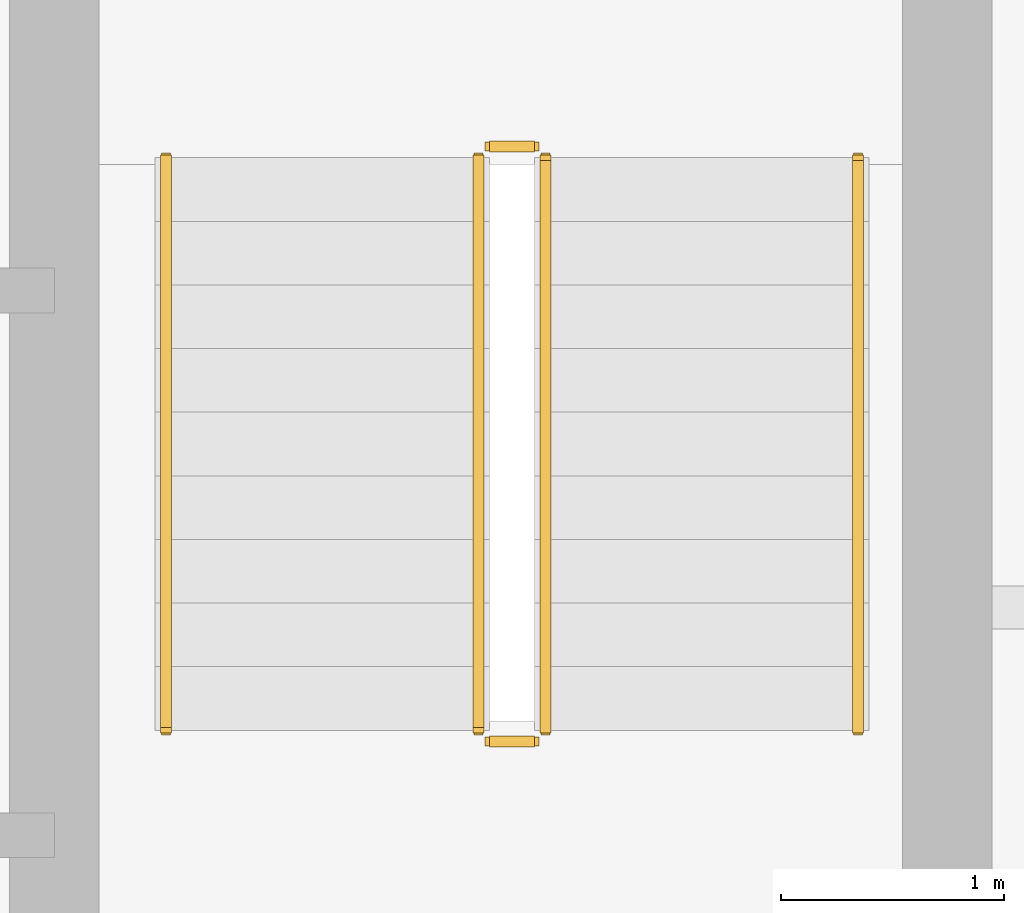
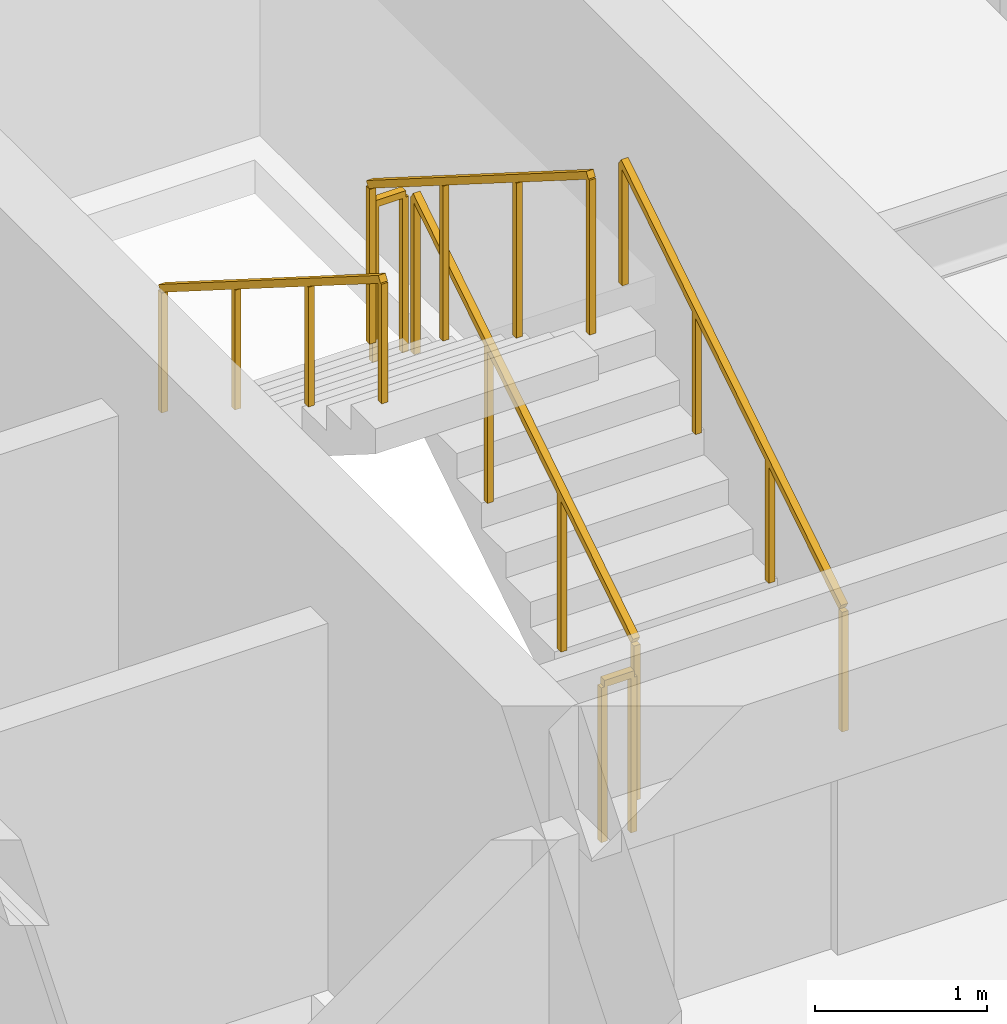
# One storey, part 24 of 24: 6 railings.
"""IFC4 building model written with IfcOpenShell, lengths in metres."""

from ifc_helpers import new_model, si_unit, direction, frame, origin, origin_2d, place, context, subcontext, project, spatial, rectangle, extrude, material, type_object, element, save


model = new_model("IFC4")

# Units and contexts
model_context = context("Model", 3, precision=1e-05, world=origin(), true_north=direction((0.0, 1.0)))
body_context = subcontext(model_context, "Body", "Model", "MODEL_VIEW")
ifc_project = project(units=[si_unit("LENGTHUNIT", "METRE"), si_unit("AREAUNIT", "SQUARE_METRE"), si_unit("VOLUMEUNIT", "CUBIC_METRE"), si_unit("PLANEANGLEUNIT", "RADIAN"), si_unit("MASSUNIT", "GRAM", prefix="KILO")], contexts=[model_context])

# Site, building, storey
site_placement = place(None, origin())
site = spatial("IfcSite", under=ifc_project, at=site_placement, CompositionType="ELEMENT")
building_placement = place(site_placement, origin())
building = spatial("IfcBuilding", under=site, at=building_placement, Name="Sarneth Arch Tower", CompositionType="ELEMENT")
storey_placement = place(building_placement, frame((0.0, 0.0, 253.199951171875)))
storey = spatial("IfcBuildingStorey", under=building, at=storey_placement, Name="L65", CompositionType="ELEMENT", Elevation=253.199951171875)

# Railings
ifc_material_1 = material(Name="Brushed Stainless Steel 304 tubular handrail", Category="steel")
railing_type_1 = type_object("IfcRailingType", Name="RAIL-HANDRAIL-900", PredefinedType="HANDRAIL", material=ifc_material_1)
railing_1_placement = place(storey_placement, frame((58.60009765625, 41.449951171875, 0.179931640625)))
element("IfcRailing", 1, at=railing_1_placement, inside=storey, type_object=railing_type_1, Name="L65 ST-2 stair handrail 1", PredefinedType="HANDRAIL", context=body_context, shape_type="SweptSolid", body=[
    extrude(rectangle(XDim=0.048095703125, YDim=0.048095703125, at=origin_2d()), frame((0.0, 0.0, 0.8759765625), z_axis=(0.0, 0.845465955043, 0.534029323973), x_axis=(-1.0, 0.0, 0.0)), (0.0, 0.0, 1.0), 3.03369140625),
    extrude(rectangle(XDim=0.0419921875, YDim=0.0419921875, at=origin_2d()), origin(), (0.0, 0.0, 1.0), 0.851806640625),
    extrude(rectangle(XDim=0.0419921875, YDim=0.0419921875, at=origin_2d()), frame((0.0, 0.85498046875, 0.5400390625)), (0.0, 0.0, 1.0), 0.851806640625),
    extrude(rectangle(XDim=0.0419921875, YDim=0.0419921875, at=origin_2d()), frame((0.0, 1.7099609375, 1.080078125)), (0.0, 0.0, 1.0), 0.851806640625),
    extrude(rectangle(XDim=0.0419921875, YDim=0.0419921875, at=origin_2d()), frame((0.0, 2.56494140625, 1.6201171875)), (0.0, 0.0, 1.0), 0.851806640625),
])
railing_2_placement = place(storey_placement, frame((55.5, 44.014892578125, 1.97998046875)))
element("IfcRailing", 2, at=railing_2_placement, inside=storey, type_object=railing_type_1, Name="L65 ST-2 stair handrail 2", PredefinedType="HANDRAIL", context=body_context, shape_type="SweptSolid", body=[
    extrude(rectangle(XDim=0.048095703125, YDim=0.048095703125, at=origin_2d()), frame((0.0, 0.0, 0.8759765625), z_axis=(0.0, -0.845465955043, 0.534029323973), x_axis=(1.0, 0.0, 0.0)), (0.0, 0.0, 1.0), 3.03369140625),
    extrude(rectangle(XDim=0.0419921875, YDim=0.0419921875, at=origin_2d()), origin(), (0.0, 0.0, 1.0), 0.851806640625),
    extrude(rectangle(XDim=0.0419921875, YDim=0.0419921875, at=origin_2d()), frame((0.0, -0.85498046875, 0.5400390625)), (0.0, 0.0, 1.0), 0.851806640625),
    extrude(rectangle(XDim=0.0419921875, YDim=0.0419921875, at=origin_2d()), frame((0.0, -1.7099609375, 1.080078125)), (0.0, 0.0, 1.0), 0.851806640625),
    extrude(rectangle(XDim=0.0419921875, YDim=0.0419921875, at=origin_2d()), frame((0.0, -2.56494140625, 1.6201171875)), (0.0, 0.0, 1.0), 0.851806640625),
])
ifc_material_2 = material(Name="Painted Steel S275 stair well guard", Category="steel")
railing_type_2 = type_object("IfcRailingType", Name="RAIL-STAIR-GUARD", PredefinedType="GUARDRAIL", material=ifc_material_2)
railing_3_placement = place(storey_placement, frame((57.199951171875, 41.449951171875, 0.179931640625)))
element("IfcRailing", 3, at=railing_3_placement, inside=storey, type_object=railing_type_2, Name="L65 ST-2 stair guard 1", PredefinedType="GUARDRAIL", context=body_context, shape_type="SweptSolid", body=[
    extrude(rectangle(XDim=0.048095703125, YDim=0.048095703125, at=origin_2d()), frame((0.0, 0.0, 1.1259765625), z_axis=(0.0, 0.845465955043, 0.534029323973), x_axis=(-1.0, 0.0, 0.0)), (0.0, 0.0, 1.0), 3.03369140625),
    extrude(rectangle(XDim=0.0419921875, YDim=0.0419921875, at=origin_2d()), origin(), (0.0, 0.0, 1.0), 1.101806640625),
    extrude(rectangle(XDim=0.0419921875, YDim=0.0419921875, at=origin_2d()), frame((0.0, 0.85498046875, 0.5400390625)), (0.0, 0.0, 1.0), 1.101806640625),
    extrude(rectangle(XDim=0.0419921875, YDim=0.0419921875, at=origin_2d()), frame((0.0, 1.7099609375, 1.080078125)), (0.0, 0.0, 1.0), 1.101806640625),
    extrude(rectangle(XDim=0.0419921875, YDim=0.0419921875, at=origin_2d()), frame((0.0, 2.56494140625, 1.6201171875)), (0.0, 0.0, 1.0), 1.101806640625),
])
railing_4_placement = place(storey_placement, frame((57.14990234375, 44.06494140625, 1.800048828125)))
element("IfcRailing", 4, at=railing_4_placement, inside=storey, type_object=railing_type_2, Name="L65 ST-2 stair guard 2", PredefinedType="GUARDRAIL", context=body_context, shape_type="SweptSolid", body=[
    extrude(rectangle(XDim=0.048095703125, YDim=0.048095703125, at=origin_2d()), frame((0.0, 0.0, 1.1259765625), z_axis=(-1.0, 0.0, 0.0), x_axis=(0.0, -1.0, 0.0)), (0.0, 0.0, 1.0), 0.199951171875),
    extrude(rectangle(XDim=0.0419921875, YDim=0.0419921875, at=origin_2d()), origin(), (0.0, 0.0, 1.0), 1.101806640625),
    extrude(rectangle(XDim=0.0419921875, YDim=0.0419921875, at=origin_2d()), frame((-0.199951171875, 0.0, 0.0)), (0.0, 0.0, 1.0), 1.101806640625),
])
railing_5_placement = place(storey_placement, frame((56.89990234375, 44.014892578125, 1.97998046875)))
element("IfcRailing", 5, at=railing_5_placement, inside=storey, type_object=railing_type_2, Name="L65 ST-2 stair guard 3", PredefinedType="GUARDRAIL", context=body_context, shape_type="SweptSolid", body=[
    extrude(rectangle(XDim=0.048095703125, YDim=0.048095703125, at=origin_2d()), frame((0.0, 0.0, 1.1259765625), z_axis=(0.0, -0.845465955043, 0.534029323973), x_axis=(1.0, 0.0, 0.0)), (0.0, 0.0, 1.0), 3.03369140625),
    extrude(rectangle(XDim=0.0419921875, YDim=0.0419921875, at=origin_2d()), origin(), (0.0, 0.0, 1.0), 1.101806640625),
    extrude(rectangle(XDim=0.0419921875, YDim=0.0419921875, at=origin_2d()), frame((0.0, -0.85498046875, 0.5400390625)), (0.0, 0.0, 1.0), 1.101806640625),
    extrude(rectangle(XDim=0.0419921875, YDim=0.0419921875, at=origin_2d()), frame((0.0, -1.7099609375, 1.080078125)), (0.0, 0.0, 1.0), 1.101806640625),
    extrude(rectangle(XDim=0.0419921875, YDim=0.0419921875, at=origin_2d()), frame((0.0, -2.56494140625, 1.6201171875)), (0.0, 0.0, 1.0), 1.101806640625),
])
railing_6_placement = place(storey_placement, frame((57.14990234375, 41.39990234375, 0.0)))
element("IfcRailing", 6, at=railing_6_placement, inside=storey, type_object=railing_type_2, Name="L65 ST-2 stair guard 4", PredefinedType="GUARDRAIL", context=body_context, shape_type="SweptSolid", body=[
    extrude(rectangle(XDim=0.048095703125, YDim=0.048095703125, at=origin_2d()), frame((0.0, 0.0, 1.1259765625), z_axis=(-1.0, 0.0, 0.0), x_axis=(0.0, -1.0, 0.0)), (0.0, 0.0, 1.0), 0.199951171875),
    extrude(rectangle(XDim=0.0419921875, YDim=0.0419921875, at=origin_2d()), origin(), (0.0, 0.0, 1.0), 1.101806640625),
    extrude(rectangle(XDim=0.0419921875, YDim=0.0419921875, at=origin_2d()), frame((-0.199951171875, 0.0, 0.0)), (0.0, 0.0, 1.0), 1.101806640625),
])

save(model, "model.ifc")
